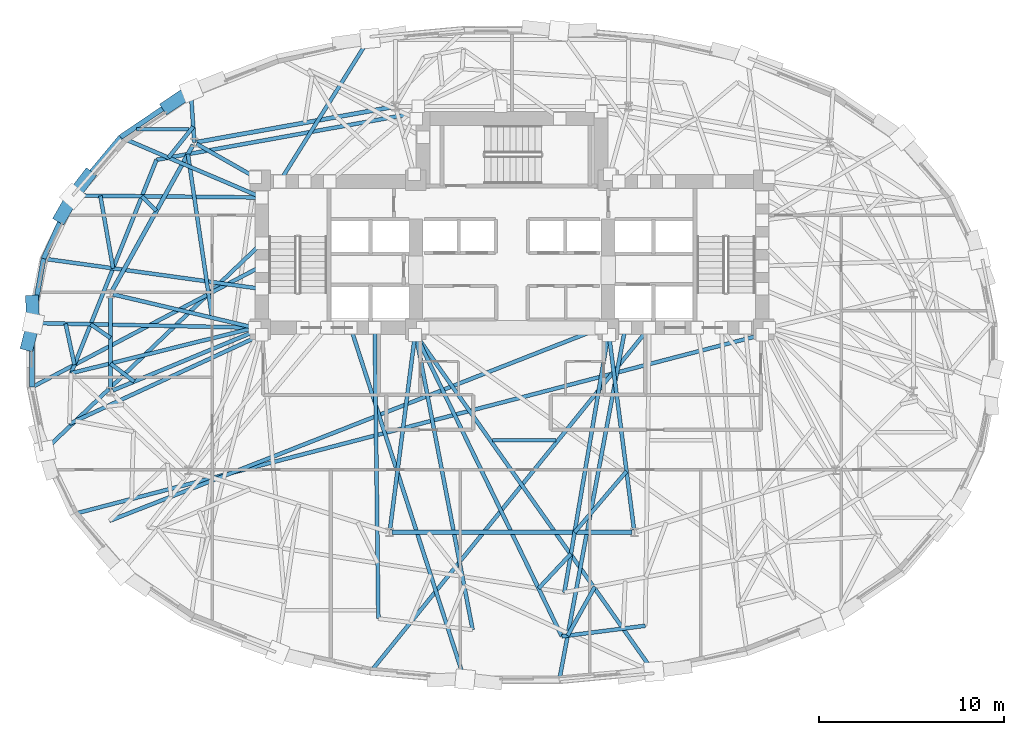
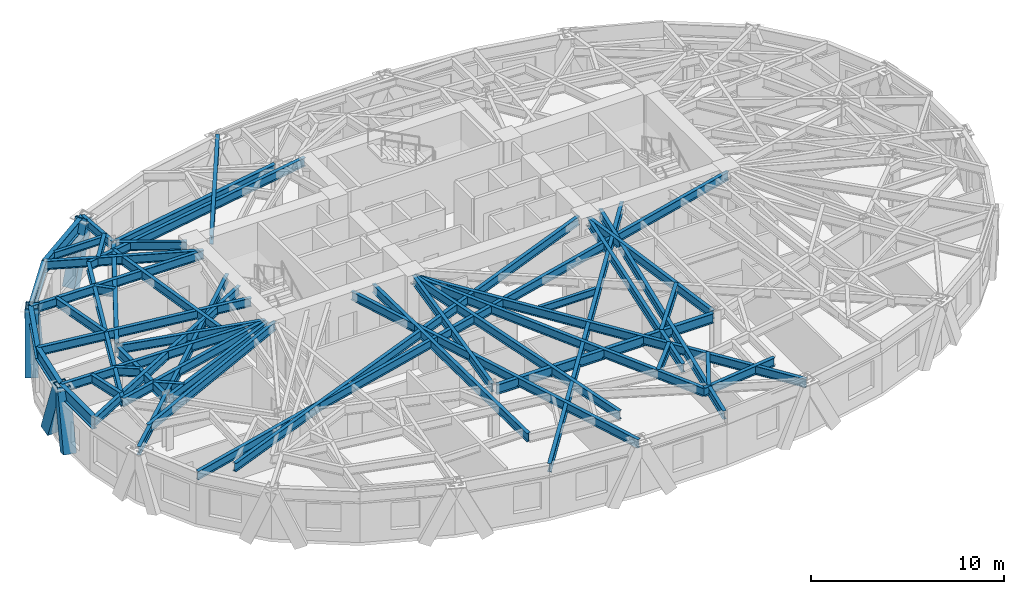
# One storey, part 2 of 14: 49 beams, 5 members.
"""IFC4 building model written with IfcOpenShell, lengths in metres."""

import ifcopenshell
import ifcopenshell.guid

model = None  # the IFC model being written
_history = None  # IfcOwnerHistory: only IFC2X3 demands one
_inside = {}  # id of a spatial element -> (the spatial element, [elements in it])
_under = {}  # id of a project, library or spatial element -> (it, [spatial elements below it])
_declared = {}  # id of a project -> (the project, [libraries it declares])
_typed = {}  # id of a type object -> (the type object, [elements of that type])
_made_of = {}  # id of a material, layer set ... -> (it, [elements and type objects made of it])


def new_model(schema):
    """Start an empty IFC model of exactly this schema.

    Asked for "IFC4X3", IfcOpenShell would pick the latest addendum, in which some entities
    have other attributes; the version numbers below select the first issue.
    IFC2X3 requires an IfcOwnerHistory on every rooted entity: one is made here for all.
    """
    global model, _history
    if schema == "IFC4X3":
        model = ifcopenshell.file(schema_version=(4, 3, 0, 0))
    else:
        model = ifcopenshell.file(schema=schema)
    _inside.clear()
    _under.clear()
    _declared.clear()
    _typed.clear()
    _made_of.clear()
    _history = None
    if model.schema == "IFC2X3":
        org = make("IfcOrganization", Name="unknown")
        user = make(
            "IfcPersonAndOrganization",
            ThePerson=make("IfcPerson", FamilyName="unknown"),
            TheOrganization=org,
        )
        app = make(
            "IfcApplication",
            ApplicationDeveloper=org,
            Version="unknown",
            ApplicationFullName="unknown",
            ApplicationIdentifier="unknown",
        )
        _history = make(
            "IfcOwnerHistory",
            OwningUser=user,
            OwningApplication=app,
            ChangeAction="ADDED",
            CreationDate=0,
        )
    return model


def make(cls, **values):
    """One entity of the class cls with the attributes given. An attribute that is None is left unset."""
    return model.create_entity(
        cls, **{name: value for name, value in values.items() if value is not None}
    )


def rooted(cls, **values):
    """An entity with a GlobalId (a new one), such as an element, a storey or a relation."""
    return make(cls, GlobalId=ifcopenshell.guid.new(), OwnerHistory=_history, **values)


def si_unit(unit_type, name, prefix=None):
    """IfcSIUnit, for example si_unit("LENGTHUNIT", "METRE", prefix="MILLI")."""
    return make("IfcSIUnit", UnitType=unit_type, Prefix=prefix, Name=name)


def assignment(units):
    """IfcUnitAssignment: the units of a project."""
    return None if units is None else make("IfcUnitAssignment", Units=units)


def point(xyz):
    """IfcCartesianPoint."""
    return None if xyz is None else make("IfcCartesianPoint", Coordinates=xyz)


def direction(xyz):
    """IfcDirection."""
    return None if xyz is None else make("IfcDirection", DirectionRatios=xyz)


def frame(location, z_axis=None, x_axis=None):
    """IfcAxis2Placement3D, a coordinate frame: its origin and axes. An axis left out is left unset."""
    return make(
        "IfcAxis2Placement3D",
        Location=point(location),
        Axis=direction(z_axis),
        RefDirection=direction(x_axis),
    )


def frame_2d(location, x_axis=None):
    """IfcAxis2Placement2D, a coordinate frame in the plane: its origin and x axis."""
    return make(
        "IfcAxis2Placement2D", Location=point(location), RefDirection=direction(x_axis)
    )


def origin():
    """The frame at (0, 0, 0) with its axes left unset."""
    return frame((0.0, 0.0, 0.0))


def origin_2d():
    """The frame at (0, 0) in the plane with its x axis left unset."""
    return frame_2d((0.0, 0.0))


def place(relative_to, where):
    """IfcLocalPlacement: puts the frame where relative to a parent placement (None: the world)."""
    return make(
        "IfcLocalPlacement", PlacementRelTo=relative_to, RelativePlacement=where
    )


def context(
    kind, dimensions, precision=None, world=None, true_north=None, identifier=None
):
    """IfcGeometricRepresentationContext, for example the 3D "Model" context."""
    return make(
        "IfcGeometricRepresentationContext",
        ContextIdentifier=identifier,
        ContextType=kind,
        CoordinateSpaceDimension=dimensions,
        Precision=precision,
        WorldCoordinateSystem=world,
        TrueNorth=true_north,
    )


def subcontext(parent, identifier, kind, view, scale=None):
    """IfcGeometricRepresentationSubContext, for example "Body" below "Model"."""
    return make(
        "IfcGeometricRepresentationSubContext",
        ContextIdentifier=identifier,
        ContextType=kind,
        ParentContext=parent,
        TargetScale=scale,
        TargetView=view,
    )


def project(units=None, contexts=None):
    """IfcProject with its units and contexts."""
    return rooted(
        "IfcProject",
        Name="project",
        RepresentationContexts=contexts,
        UnitsInContext=assignment(units),
    )


def spatial(cls, under=None, at=None, **own):
    """A site, building, storey or space (cls), placed at a placement, below another one or the project."""
    s = rooted(cls, ObjectPlacement=at, **own)
    if under is not None:
        _under.setdefault(under.id(), (under, []))[1].append(s)
    return s


def profile(cls, at=None, kind="AREA", **sizes):
    """A parametric profile (cls). Its sizes go by their IFC names, for example OverallWidth=200.0."""
    return make(cls, ProfileType=kind, Position=at, **sizes)


def hollow_rectangle(**sizes):
    """IfcRectangleHollowProfileDef."""
    return profile("IfcRectangleHollowProfileDef", **sizes)


def i_section(**sizes):
    """IfcIShapeProfileDef."""
    return profile("IfcIShapeProfileDef", **sizes)


def extrude(swept, where, along, depth):
    """IfcExtrudedAreaSolid: the profile swept, set in the frame where, extruded along a direction by depth."""
    return make(
        "IfcExtrudedAreaSolid",
        SweptArea=swept,
        Position=where,
        ExtrudedDirection=direction(along),
        Depth=depth,
    )


def shape(context_of_items, identifier, shape_type, items):
    """IfcShapeRepresentation: the items that make up one representation, for example the "Body"."""
    return make(
        "IfcShapeRepresentation",
        ContextOfItems=context_of_items,
        RepresentationIdentifier=identifier,
        RepresentationType=shape_type,
        Items=items,
    )


def material(Name=None, Category=None):
    """IfcMaterial."""
    return make("IfcMaterial", Name=Name, Category=Category)


def material_profile(
    of_material, cross_section, Name=None, Category=None, Priority=None
):
    """IfcMaterialProfile: a cross section and its material."""
    return make(
        "IfcMaterialProfile",
        Name=Name,
        Material=of_material,
        Profile=cross_section,
        Priority=Priority,
        Category=Category,
    )


def profile_set(profiles, Name=None, composite=None):
    """IfcMaterialProfileSet."""
    return make(
        "IfcMaterialProfileSet",
        Name=Name,
        MaterialProfiles=profiles,
        CompositeProfile=composite,
    )


def made_of(thing, what):
    """Note that an element or type object is made of a material, layer set ...; save() writes the relation."""
    if what is not None:
        _made_of.setdefault(what.id(), (what, []))[1].append(thing)
    return thing


def type_object(cls, material=None, **own):
    """A type object (cls), such as IfcWallType, which elements share."""
    return made_of(rooted(cls, **own), material)


def element(
    cls,
    number,
    at=None,
    inside=None,
    cuts=None,
    type_object=None,
    material=None,
    context=None,
    identifier="Body",
    shape_type=None,
    held_by="IfcProductDefinitionShape",
    body=None,
    shapes=None,
    **own,
):
    """One element of the class cls, such as IfcWall. Its Tag is "e" and its number.

    at: its placement. inside: the storey or other place that contains it. cuts: it is an
    opening in that element (IfcRelVoidsElement). A single representation is given by context,
    identifier, shape_type and body (its items); several are given by shapes. held_by: the class
    of the entity that holds the representations. save() writes the other relations.
    """
    e = rooted(cls, Tag="e%d" % number, ObjectPlacement=at, **own)
    if body is not None:
        shapes = [shape(context, identifier, shape_type, body)]
    if shapes is not None:
        e.Representation = make(held_by, Representations=shapes)
    if inside is not None:
        _inside.setdefault(inside.id(), (inside, []))[1].append(e)
    if cuts is not None:
        rooted(
            "IfcRelVoidsElement", RelatingBuildingElement=cuts, RelatedOpeningElement=e
        )
    if type_object is not None:
        _typed.setdefault(type_object.id(), (type_object, []))[1].append(e)
    return made_of(e, material)


def aggregate(whole, parts):
    """IfcRelAggregates: a whole, such as a stair, and the parts it consists of."""
    return rooted("IfcRelAggregates", RelatingObject=whole, RelatedObjects=parts)


def save(model, path):
    """Write the relations noted so far, then the file.

    IfcRelAggregates (storeys below a building ...), IfcRelContainedInSpatialStructure (elements
    in a storey), IfcRelDefinesByType, IfcRelAssociatesMaterial and IfcRelDeclares: one each for
    every whole, place, type object, material and project.
    """
    for whole, parts in _under.values():
        aggregate(whole, parts)
    for where, things in _inside.values():
        rooted(
            "IfcRelContainedInSpatialStructure",
            RelatedElements=things,
            RelatingStructure=where,
        )
    for kind, things in _typed.values():
        rooted("IfcRelDefinesByType", RelatedObjects=things, RelatingType=kind)
    for what, things in _made_of.values():
        rooted("IfcRelAssociatesMaterial", RelatedObjects=things, RelatingMaterial=what)
    for by, libraries in _declared.values():
        rooted("IfcRelDeclares", RelatingContext=by, RelatedDefinitions=libraries)
    model.write(path)


model = new_model("IFC4")

# Units and contexts
model_context = context("Model", 3, precision=1e-05, world=origin(), true_north=direction((0.0, 1.0)))
body_context = subcontext(model_context, "Body", "Model", "MODEL_VIEW")
ifc_project = project(units=[si_unit("LENGTHUNIT", "METRE"), si_unit("AREAUNIT", "SQUARE_METRE"), si_unit("VOLUMEUNIT", "CUBIC_METRE"), si_unit("PLANEANGLEUNIT", "RADIAN"), si_unit("MASSUNIT", "GRAM", prefix="KILO")], contexts=[model_context])

# Site, building, storey
site_placement = place(None, origin())
site = spatial("IfcSite", under=ifc_project, at=site_placement, CompositionType="ELEMENT")
building_placement = place(site_placement, origin())
building = spatial("IfcBuilding", under=site, at=building_placement, Name="Keldmark Tower", CompositionType="ELEMENT")
storey_placement = place(building_placement, frame((0.0, 0.0, 121.10009765625)))
storey = spatial("IfcBuildingStorey", under=building, at=storey_placement, Name="L32", CompositionType="ELEMENT", Elevation=121.10009765625)

# Beams
ifc_material_1 = material(Name="Steel ASTM A992 Grade 50", Category="steel")
ifc_material_profile_1 = material_profile(ifc_material_1, i_section(OverallWidth=0.19091796875, OverallDepth=0.45703125, WebThickness=0.009033203125, FlangeThickness=0.014404296875, at=origin_2d()), Name="W18X50")
ifc_profile_set_1 = profile_set([ifc_material_profile_1], Name="Steel ASTM A992 Grade 50")
beam_type_1 = type_object("IfcBeamType", Name="Composite Floor Joist W18X50", PredefinedType="JOIST", material=ifc_profile_set_1)
beam_1_placement = place(storey_placement, frame((-1.061767578125, -4.60009765625, 3.081298828125), z_axis=(1.0, 0.0, 0.0), x_axis=(0.0, 1.0, 0.0)))
element("IfcBeam", 1, at=beam_1_placement, inside=storey, type_object=beam_type_1, Name="L32 Composite Floor Joist J03", PredefinedType="JOIST", context=body_context, shape_type="SweptSolid", body=[
    extrude(i_section(OverallWidth=0.19091796875, OverallDepth=0.45703125, WebThickness=0.009033203125, FlangeThickness=0.014404296875, at=origin_2d()), origin(), (0.0, 0.0, 1.0), 3.433837890625),
])
beam_2_placement = place(storey_placement, frame((-20.29248046875, 12.199951171875, 3.081298828125), z_axis=(1.0, 0.0, 0.0), x_axis=(0.0, 1.0, 0.0)))
element("IfcBeam", 2, at=beam_2_placement, inside=storey, type_object=beam_type_1, Name="L32 Composite Floor Joist J06", PredefinedType="JOIST", context=body_context, shape_type="SweptSolid", body=[
    extrude(i_section(OverallWidth=0.19091796875, OverallDepth=0.45703125, WebThickness=0.009033203125, FlangeThickness=0.014404296875, at=origin_2d()), origin(), (0.0, 0.0, 1.0), 2.8330078125),
])

# Members
ifc_material_2 = material(Name="Steel ASTM A572 Grade 50", Category="steel")
ifc_material_profile_2 = material_profile(ifc_material_2, hollow_rectangle(XDim=0.699951171875, YDim=0.699951171875, WallThickness=0.044921875, at=origin_2d()), Name="BOX700X700X45")
ifc_profile_set_2 = profile_set([ifc_material_profile_2], Name="Steel ASTM A572 Grade 50")
member_type = type_object("IfcMemberType", Name="Diagrid Zone 2 Brace BOX700X700X45", PredefinedType="BRACE", material=ifc_profile_set_2)
member_1_placement = place(storey_placement, frame((-18.591796875, 13.441650390625, -0.27001953125), z_axis=(0.335635716831, 0.22567162118, 0.914560541999), x_axis=(-0.557972961749, 0.829859128984, 0.0)))
element("IfcMember", 3, at=member_1_placement, inside=storey, type_object=member_type, Name="L32 Perimeter Diagrid Brace 06B", PredefinedType="BRACE", context=body_context, shape_type="SweptSolid", body=[
    extrude(hollow_rectangle(XDim=0.699951171875, YDim=0.699951171875, WallThickness=0.044921875, at=origin_2d()), origin(), (0.0, 0.0, 1.0), 3.783203125),
])
member_2_placement = place(storey_placement, frame((-22.9169921875, 9.65185546875, -0.27001953125), z_axis=(-0.219867958997, -0.288773946146, 0.931808826227), x_axis=(0.795631284897, -0.60578119688, 0.0)))
element("IfcMember", 4, at=member_2_placement, inside=storey, type_object=member_type, Name="L32 Perimeter Diagrid Brace 07A", PredefinedType="BRACE", context=body_context, shape_type="SweptSolid", body=[
    extrude(hollow_rectangle(XDim=0.699951171875, YDim=0.699951171875, WallThickness=0.044921875, at=origin_2d()), origin(), (0.0, 0.0, 1.0), 3.713134765625),
])
member_3_placement = place(storey_placement, frame((-24.362060546875, 7.486572265625, -0.27001953125), z_axis=(0.172250116785, 0.299136400429, 0.938534661697), x_axis=(-0.866597316493, 0.499008107195, 0.0)))
element("IfcMember", 5, at=member_3_placement, inside=storey, type_object=member_type, Name="L32 Perimeter Diagrid Brace 07B", PredefinedType="BRACE", context=body_context, shape_type="SweptSolid", body=[
    extrude(hollow_rectangle(XDim=0.699951171875, YDim=0.699951171875, WallThickness=0.044921875, at=origin_2d()), origin(), (0.0, 0.0, 1.0), 3.6865234375),
])
member_4_placement = place(storey_placement, frame((-25.9296875, 2.899169921875, -0.27001953125), z_axis=(0.016952892243, -0.324040519048, 0.945891294737), x_axis=(0.998634258336, 0.052245746986, 0.0)))
element("IfcMember", 6, at=member_4_placement, inside=storey, type_object=member_type, Name="L32 Perimeter Diagrid Brace 08A", PredefinedType="BRACE", context=body_context, shape_type="SweptSolid", body=[
    extrude(hollow_rectangle(XDim=0.699951171875, YDim=0.699951171875, WallThickness=0.044921875, at=origin_2d()), origin(), (0.0, 0.0, 1.0), 3.657958984375),
])
member_5_placement = place(storey_placement, frame((-26.163818359375, 0.577880859375, -0.27001953125), z_axis=(0.081570259972, 0.313731769122, 0.946001411062), x_axis=(-0.967822506788, 0.251633851765, 0.0)))
element("IfcMember", 7, at=member_5_placement, inside=storey, type_object=member_type, Name="L32 Perimeter Diagrid Brace 08B", PredefinedType="BRACE", context=body_context, shape_type="SweptSolid", body=[
    extrude(hollow_rectangle(XDim=0.699951171875, YDim=0.699951171875, WallThickness=0.044921875, at=origin_2d()), origin(), (0.0, 0.0, 1.0), 3.657470703125),
])

# Beams
ifc_material_3 = material(Name="Steel ASTM A992 Grade 50", Category="steel")
ifc_material_profile_3 = material_profile(ifc_material_3, i_section(OverallWidth=0.22900390625, OverallDepth=0.612060546875, WebThickness=0.011962890625, FlangeThickness=0.01953125, at=origin_2d()), Name="W24X84")
ifc_profile_set_3 = profile_set([ifc_material_profile_3], Name="Steel ASTM A992 Grade 50")
beam_type_2 = type_object("IfcBeamType", Name="Primary Floor Girder W24X84", PredefinedType="BEAM", material=ifc_profile_set_3)
beam_3_placement = place(storey_placement, frame((-6.4365234375, 13.40771484375, 3.00390625), z_axis=(-0.984218266992, -0.176958760505, 0.0), x_axis=(0.176958760505, -0.984218266992, 0.0)))
element("IfcBeam", 8, at=beam_3_placement, inside=storey, type_object=beam_type_2, Name="L32 Floor Ring Girder FG-R04", PredefinedType="BEAM", context=body_context, shape_type="SweptSolid", body=[
    extrude(i_section(OverallWidth=0.22900390625, OverallDepth=0.612060546875, WebThickness=0.011962890625, FlangeThickness=0.01953125, at=origin_2d()), origin(), (0.0, 0.0, 1.0), 10.7626953125),
])
beam_4_placement = place(storey_placement, frame((-17.235107421875, 11.35595703125, 3.00390625), z_axis=(-0.484951836703, -0.874540860154, 0.0), x_axis=(0.874540860154, -0.484951836703, 0.0)))
element("IfcBeam", 9, at=beam_4_placement, inside=storey, type_object=beam_type_2, Name="L32 Floor Ring Girder FG-R05", PredefinedType="BEAM", context=body_context, shape_type="SweptSolid", body=[
    extrude(i_section(OverallWidth=0.22900390625, OverallDepth=0.612060546875, WebThickness=0.011962890625, FlangeThickness=0.01953125, at=origin_2d()), origin(), (0.0, 0.0, 1.0), 9.060302734375),
])
beam_5_placement = place(storey_placement, frame((-21.697021484375, 3.169921875, 3.00390625), z_axis=(0.0, -1.0, 0.0), x_axis=(1.0, 0.0, 0.0)))
element("IfcBeam", 10, at=beam_5_placement, inside=storey, type_object=beam_type_2, Name="L32 Floor Ring Girder FG-R06", PredefinedType="BEAM", context=body_context, shape_type="SweptSolid", body=[
    extrude(i_section(OverallWidth=0.22900390625, OverallDepth=0.612060546875, WebThickness=0.011962890625, FlangeThickness=0.01953125, at=origin_2d()), origin(), (0.0, 0.0, 1.0), 4.995849609375),
])
beam_6_placement = place(storey_placement, frame((-6.472900390625, -9.579345703125, 3.00390625), z_axis=(1.0, 0.0, 0.0), x_axis=(0.0, 1.0, 0.0)))
element("IfcBeam", 11, at=beam_6_placement, inside=storey, type_object=beam_type_2, Name="L32 Floor Ring Girder FG-R09", PredefinedType="BEAM", context=body_context, shape_type="SweptSolid", body=[
    extrude(i_section(OverallWidth=0.22900390625, OverallDepth=0.612060546875, WebThickness=0.011962890625, FlangeThickness=0.01953125, at=origin_2d()), origin(), (0.0, 0.0, 1.0), 12.94580078125),
])
ifc_material_4 = material(Name="Steel ASTM A992 Grade 50", Category="steel")
ifc_material_profile_4 = material_profile(ifc_material_4, i_section(OverallWidth=0.2099609375, OverallDepth=0.537109375, WebThickness=0.010986328125, FlangeThickness=0.017333984375, at=origin_2d()), Name="W21X68")
ifc_profile_set_4 = profile_set([ifc_material_profile_4], Name="Steel ASTM A992 Grade 50")
beam_type_3 = type_object("IfcBeamType", Name="Radial Tie Girder W21X68", PredefinedType="BEAM", material=ifc_profile_set_4)
beam_7_placement = place(storey_placement, frame((-17.04541015625, 11.4091796875, 3.04150390625), z_axis=(0.86928447329, -0.494312152892, 0.0), x_axis=(0.494312152892, 0.86928447329, 0.0)))
element("IfcBeam", 12, at=beam_7_placement, inside=storey, type_object=beam_type_3, Name="L32 Floor Radial Girder FG-C05", PredefinedType="BEAM", context=body_context, shape_type="SweptSolid", body=[
    extrude(i_section(OverallWidth=0.2099609375, OverallDepth=0.537109375, WebThickness=0.010986328125, FlangeThickness=0.017333984375, at=origin_2d()), origin(), (0.0, 0.0, 1.0), 3.6435546875),
])
beam_8_placement = place(storey_placement, frame((-21.560546875, 3.27783203125, 3.04150390625), z_axis=(0.973283778272, -0.229605502879, 0.0), x_axis=(0.229605502879, 0.973283778272, 0.0)))
element("IfcBeam", 13, at=beam_8_placement, inside=storey, type_object=beam_type_3, Name="L32 Floor Radial Girder FG-C06", PredefinedType="BEAM", context=body_context, shape_type="SweptSolid", body=[
    extrude(i_section(OverallWidth=0.2099609375, OverallDepth=0.537109375, WebThickness=0.010986328125, FlangeThickness=0.017333984375, at=origin_2d()), origin(), (0.0, 0.0, 1.0), 7.85888671875),
])
beam_9_placement = place(storey_placement, frame((-21.567626953125, -1.912109375, 3.04150390625), z_axis=(0.923397393633, 0.383845350932, 0.0), x_axis=(-0.383845350932, 0.923397393633, 0.0)))
element("IfcBeam", 14, at=beam_9_placement, inside=storey, type_object=beam_type_3, Name="L32 Floor Radial Girder FG-C07", PredefinedType="BEAM", context=body_context, shape_type="SweptSolid", body=[
    extrude(i_section(OverallWidth=0.2099609375, OverallDepth=0.537109375, WebThickness=0.010986328125, FlangeThickness=0.017333984375, at=origin_2d()), origin(), (0.0, 0.0, 1.0), 8.30859375),
])
for number, where, z_axis, x_axis, name in (
    (15, (-6.594970703125, -9.4404296875, 3.04150390625), (0.127642040045, 0.991820301069, 0.0), (-0.991820301069, 0.127642040045, 0.0), "L32 Floor Radial Girder FG-C09"),
    (16, (6.594970703125, -9.4404296875, 3.04150390625), (-0.127642040045, 0.991820301069, 0.0), (-0.991820301069, -0.127642040045, 0.0), "L32 Floor Radial Girder FG-C10"),
):
    element("IfcBeam", number, at=place(storey_placement, frame(where, z_axis=z_axis, x_axis=x_axis)), inside=storey, type_object=beam_type_3, Name=name, PredefinedType="BEAM", context=body_context, shape_type="SweptSolid", body=[
        extrude(i_section(OverallWidth=0.2099609375, OverallDepth=0.537109375, WebThickness=0.010986328125, FlangeThickness=0.017333984375, at=origin_2d()), origin(), (0.0, 0.0, 1.0), 10.609619140625),
    ])
beam_10_placement = place(storey_placement, frame((-16.206298828125, 2.014892578125, 3.04150390625), z_axis=(-0.146189237766, 0.989256643527, 0.0), x_axis=(-0.989256643527, -0.146189237766, 0.0)))
element("IfcBeam", 17, at=beam_10_placement, inside=storey, type_object=beam_type_3, Name="L32 Framing Pin Header PH-005", PredefinedType="BEAM", context=body_context, shape_type="SweptSolid", body=[
    extrude(i_section(OverallWidth=0.2099609375, OverallDepth=0.537109375, WebThickness=0.010986328125, FlangeThickness=0.017333984375, at=origin_2d()), origin(), (0.0, 0.0, 1.0), 8.936279296875),
])
beam_11_placement = place(storey_placement, frame((-4.800048828125, 13.14990234375, 3.04150390625), z_axis=(-0.984095025562, -0.177642845799, 0.0), x_axis=(0.177642845799, -0.984095025562, 0.0)))
element("IfcBeam", 18, at=beam_11_placement, inside=storey, type_object=beam_type_3, Name="L32 Sub-Ring Step Girder STP1-M06", PredefinedType="BEAM", context=body_context, shape_type="SweptSolid", body=[
    extrude(i_section(OverallWidth=0.2099609375, OverallDepth=0.537109375, WebThickness=0.010986328125, FlangeThickness=0.017333984375, at=origin_2d()), origin(), (0.0, 0.0, 1.0), 14.646240234375),
])
beam_12_placement = place(storey_placement, frame((-20.416748046875, -1.433837890625, 3.04150390625), z_axis=(-0.794878137601, 0.606769104656, 0.0), x_axis=(-0.606769104656, -0.794878137601, 0.0)))
element("IfcBeam", 19, at=beam_12_placement, inside=storey, type_object=beam_type_3, Name="L32 Framing Pin Header PH-006", PredefinedType="BEAM", context=body_context, shape_type="SweptSolid", body=[
    extrude(i_section(OverallWidth=0.2099609375, OverallDepth=0.537109375, WebThickness=0.010986328125, FlangeThickness=0.017333984375, at=origin_2d()), origin(), (0.0, 0.0, 1.0), 1.610595703125),
])
beam_13_placement = place(storey_placement, frame((-13.89990234375, 1.47509765625, 3.04150390625), z_axis=(-0.970654357168, -0.240478936523, 0.0), x_axis=(0.240478936523, -0.970654357168, 0.0)))
element("IfcBeam", 20, at=beam_13_placement, inside=storey, type_object=beam_type_3, Name="L32 Sub-Ring Step Girder STP1-M07", PredefinedType="BEAM", context=body_context, shape_type="SweptSolid", body=[
    extrude(i_section(OverallWidth=0.2099609375, OverallDepth=0.537109375, WebThickness=0.010986328125, FlangeThickness=0.017333984375, at=origin_2d()), origin(), (0.0, 0.0, 1.0), 10.225341796875),
])
beam_14_placement = place(storey_placement, frame((-19.21337890625, 10.548095703125, 3.04150390625), z_axis=(-0.371322892211, -0.928503801672, 0.0), x_axis=(0.928503801672, -0.371322892211, 0.0)))
element("IfcBeam", 21, at=beam_14_placement, inside=storey, type_object=beam_type_3, Name="L32 Perimeter Collector Ring Beam CRG1-M06", PredefinedType="BEAM", context=body_context, shape_type="SweptSolid", body=[
    extrude(i_section(OverallWidth=0.2099609375, OverallDepth=0.537109375, WebThickness=0.010986328125, FlangeThickness=0.017333984375, at=origin_2d()), origin(), (0.0, 0.0, 1.0), 12.419921875),
])
beam_15_placement = place(storey_placement, frame((6.188720703125, -6.283447265625, 3.04150390625), z_axis=(-0.648172221186, -0.761493776522, 0.0), x_axis=(0.761493776522, -0.648172221186, 0.0)))
element("IfcBeam", 22, at=beam_15_placement, inside=storey, type_object=beam_type_3, Name="L32 Framing Pin Header PH-010", PredefinedType="BEAM", context=body_context, shape_type="SweptSolid", body=[
    extrude(i_section(OverallWidth=0.2099609375, OverallDepth=0.537109375, WebThickness=0.010986328125, FlangeThickness=0.017333984375, at=origin_2d()), origin(), (0.0, 0.0, 1.0), 4.328125),
])
beam_16_placement = place(storey_placement, frame((5.199951171875, 1.10009765625, 3.04150390625), z_axis=(-0.167690376042, -0.985839712013, 0.0), x_axis=(0.985839712013, -0.167690376042, 0.0)))
element("IfcBeam", 23, at=beam_16_placement, inside=storey, type_object=beam_type_3, Name="L32 Sub-Ring Step Girder STP2-M10", PredefinedType="BEAM", context=body_context, shape_type="SweptSolid", body=[
    extrude(i_section(OverallWidth=0.2099609375, OverallDepth=0.537109375, WebThickness=0.010986328125, FlangeThickness=0.017333984375, at=origin_2d()), origin(), (0.0, 0.0, 1.0), 14.129638671875),
])
beam_17_placement = place(storey_placement, frame((-12.54638671875, 9.375, 3.04150390625), z_axis=(0.530087356158, 0.847943037498, 0.0), x_axis=(-0.847943037498, 0.530087356158, 0.0)))
element("IfcBeam", 24, at=beam_17_placement, inside=storey, type_object=beam_type_3, Name="L32 Perimeter Radial Tie Girder RT-10", PredefinedType="BEAM", context=body_context, shape_type="SweptSolid", body=[
    extrude(i_section(OverallWidth=0.2099609375, OverallDepth=0.537109375, WebThickness=0.010986328125, FlangeThickness=0.017333984375, at=origin_2d()), origin(), (0.0, 0.0, 1.0), 9.183349609375),
])
beam_18_placement = place(storey_placement, frame((-17.1669921875, 11.478271484375, 3.04150390625), z_axis=(-0.067286839029, 0.997733672527, 0.0), x_axis=(-0.997733672527, -0.067286839029, 0.0)))
element("IfcBeam", 25, at=beam_18_placement, inside=storey, type_object=beam_type_3, Name="L32 Perimeter Column Bracket RT-12", PredefinedType="BEAM", context=body_context, shape_type="SweptSolid", body=[
    extrude(i_section(OverallWidth=0.2099609375, OverallDepth=0.537109375, WebThickness=0.010986328125, FlangeThickness=0.017333984375, at=origin_2d()), origin(), (0.0, 0.0, 1.0), 2.8701171875),
])
beam_19_placement = place(storey_placement, frame((-17.22509765625, 12.33740234375, 3.04150390625), z_axis=(-0.625236848522, -0.780435060239, 0.0), x_axis=(0.780435060239, -0.625236848522, 0.0)))
element("IfcBeam", 26, at=beam_19_placement, inside=storey, type_object=beam_type_3, Name="L32 Framing Pin Header PH-020", PredefinedType="BEAM", context=body_context, shape_type="SweptSolid", body=[
    extrude(i_section(OverallWidth=0.2099609375, OverallDepth=0.537109375, WebThickness=0.010986328125, FlangeThickness=0.017333984375, at=origin_2d()), origin(), (0.0, 0.0, 1.0), 2.142578125),
])
beam_20_placement = place(storey_placement, frame((-13.52490234375, 8.514404296875, 3.04150390625), z_axis=(-0.919742322767, 0.392522686875, 0.0), x_axis=(-0.392522686875, -0.919742322767, 0.0)))
element("IfcBeam", 27, at=beam_20_placement, inside=storey, type_object=beam_type_3, Name="L32 Perimeter Radial Tie Girder RT-13", PredefinedType="BEAM", context=body_context, shape_type="SweptSolid", body=[
    extrude(i_section(OverallWidth=0.2099609375, OverallDepth=0.537109375, WebThickness=0.010986328125, FlangeThickness=0.017333984375, at=origin_2d()), origin(), (0.0, 0.0, 1.0), 8.294189453125),
])
beam_21_placement = place(storey_placement, frame((-19.21240234375, 7.790283203125, 3.04150390625), z_axis=(-0.706559358051, 0.707653780849, 0.0), x_axis=(-0.707653780849, -0.706559358051, 0.0)))
element("IfcBeam", 28, at=beam_21_placement, inside=storey, type_object=beam_type_3, Name="L32 Framing Pin Header PH-021", PredefinedType="BEAM", context=body_context, shape_type="SweptSolid", body=[
    extrude(i_section(OverallWidth=0.2099609375, OverallDepth=0.537109375, WebThickness=0.010986328125, FlangeThickness=0.017333984375, at=origin_2d()), origin(), (0.0, 0.0, 1.0), 1.115478515625),
])
beam_22_placement = place(storey_placement, frame((-13.52490234375, 8.514404296875, 3.04150390625), z_axis=(-0.999949296679, 0.010069958873, 0.0), x_axis=(-0.010069958873, -0.999949296679, 0.0)))
element("IfcBeam", 29, at=beam_22_placement, inside=storey, type_object=beam_type_3, Name="L32 Perimeter Radial Tie Girder RT-14", PredefinedType="BEAM", context=body_context, shape_type="SweptSolid", body=[
    extrude(i_section(OverallWidth=0.2099609375, OverallDepth=0.537109375, WebThickness=0.010986328125, FlangeThickness=0.017333984375, at=origin_2d()), origin(), (0.0, 0.0, 1.0), 10.25537109375),
])
beam_23_placement = place(storey_placement, frame((-22.24169921875, 8.602294921875, 3.04150390625), z_axis=(0.171921577498, -0.985110639061, 0.0), x_axis=(0.985110639061, 0.171921577498, 0.0)))
element("IfcBeam", 30, at=beam_23_placement, inside=storey, type_object=beam_type_3, Name="L32 Framing Pin Header PH-022", PredefinedType="BEAM", context=body_context, shape_type="SweptSolid", body=[
    extrude(i_section(OverallWidth=0.2099609375, OverallDepth=0.537109375, WebThickness=0.010986328125, FlangeThickness=0.017333984375, at=origin_2d()), origin(), (0.0, 0.0, 1.0), 3.97607421875),
])
beam_24_placement = place(storey_placement, frame((-13.52490234375, 3.5712890625, 3.04150390625), z_axis=(-0.990520128858, 0.13736766114, 0.0), x_axis=(-0.13736766114, -0.990520128858, 0.0)))
element("IfcBeam", 31, at=beam_24_placement, inside=storey, type_object=beam_type_3, Name="L32 Perimeter Radial Tie Girder RT-15", PredefinedType="BEAM", context=body_context, shape_type="SweptSolid", body=[
    extrude(i_section(OverallWidth=0.2099609375, OverallDepth=0.537109375, WebThickness=0.010986328125, FlangeThickness=0.017333984375, at=origin_2d()), origin(), (0.0, 0.0, 1.0), 11.900634765625),
])
beam_25_placement = place(storey_placement, frame((-21.697021484375, 0.921875, 3.04150390625), z_axis=(-0.821543278798, 0.570146157631, 0.0), x_axis=(-0.570146157631, -0.821543278798, 0.0)))
element("IfcBeam", 32, at=beam_25_placement, inside=storey, type_object=beam_type_3, Name="L32 Framing Pin Header PH-023", PredefinedType="BEAM", context=body_context, shape_type="SweptSolid", body=[
    extrude(i_section(OverallWidth=0.2099609375, OverallDepth=0.537109375, WebThickness=0.010986328125, FlangeThickness=0.017333984375, at=origin_2d()), origin(), (0.0, 0.0, 1.0), 1.30126953125),
])
beam_26_placement = place(storey_placement, frame((-13.89990234375, 1.47509765625, 3.04150390625), z_axis=(-0.999773288983, 0.021292501881, 0.0), x_axis=(-0.021292501881, -0.999773288983, 0.0)))
element("IfcBeam", 33, at=beam_26_placement, inside=storey, type_object=beam_type_3, Name="L32 Perimeter Radial Tie Girder RT-16", PredefinedType="BEAM", context=body_context, shape_type="SweptSolid", body=[
    extrude(i_section(OverallWidth=0.2099609375, OverallDepth=0.537109375, WebThickness=0.010986328125, FlangeThickness=0.017333984375, at=origin_2d()), origin(), (0.0, 0.0, 1.0), 12.02783203125),
])
beam_27_placement = place(storey_placement, frame((-24.121337890625, 1.69287109375, 3.04150390625), z_axis=(0.210769403215, -0.977535809405, 0.0), x_axis=(0.977535809405, 0.210769403215, 0.0)))
element("IfcBeam", 34, at=beam_27_placement, inside=storey, type_object=beam_type_3, Name="L32 Framing Pin Header PH-024", PredefinedType="BEAM", context=body_context, shape_type="SweptSolid", body=[
    extrude(i_section(OverallWidth=0.2099609375, OverallDepth=0.537109375, WebThickness=0.010986328125, FlangeThickness=0.017333984375, at=origin_2d()), origin(), (0.0, 0.0, 1.0), 2.271484375),
])
beam_28_placement = place(storey_placement, frame((-13.52490234375, 4.80712890625, 3.04150390625), z_axis=(-0.884567010217, -0.466413126354, 0.0), x_axis=(0.466413126354, -0.884567010217, 0.0)))
element("IfcBeam", 35, at=beam_28_placement, inside=storey, type_object=beam_type_3, Name="L32 Perimeter Radial Tie Girder RT-17", PredefinedType="BEAM", context=body_context, shape_type="SweptSolid", body=[
    extrude(i_section(OverallWidth=0.2099609375, OverallDepth=0.537109375, WebThickness=0.010986328125, FlangeThickness=0.017333984375, at=origin_2d()), origin(), (0.0, 0.0, 1.0), 14.018310546875),
])
beam_29_placement = place(storey_placement, frame((-13.52490234375, 1.10009765625, 3.04150390625), z_axis=(-0.907416154483, -0.420233176443, 0.0), x_axis=(0.420233176443, -0.907416154483, 0.0)))
element("IfcBeam", 36, at=beam_29_placement, inside=storey, type_object=beam_type_3, Name="L32 Intermediate Radial Step Girder RT-18M", PredefinedType="BEAM", context=body_context, shape_type="SweptSolid", body=[
    extrude(i_section(OverallWidth=0.2099609375, OverallDepth=0.537109375, WebThickness=0.010986328125, FlangeThickness=0.017333984375, at=origin_2d()), origin(), (0.0, 0.0, 1.0), 11.44677734375),
])
beam_30_placement = place(storey_placement, frame((-13.52490234375, 6.04296875, 3.04150390625), z_axis=(-0.723447722591, -0.690379165878, 0.0), x_axis=(0.690379165878, -0.723447722591, 0.0)))
element("IfcBeam", 37, at=beam_30_placement, inside=storey, type_object=beam_type_3, Name="L32 Perimeter Radial Tie Girder RT-18", PredefinedType="BEAM", context=body_context, shape_type="SweptSolid", body=[
    extrude(i_section(OverallWidth=0.2099609375, OverallDepth=0.537109375, WebThickness=0.010986328125, FlangeThickness=0.017333984375, at=origin_2d()), origin(), (0.0, 0.0, 1.0), 16.2939453125),
])
beam_31_placement = place(storey_placement, frame((4.824951171875, 1.47509765625, 3.04150390625), z_axis=(-0.930813228967, -0.365495188451, 0.0), x_axis=(0.365495188451, -0.930813228967, 0.0)))
element("IfcBeam", 38, at=beam_31_placement, inside=storey, type_object=beam_type_3, Name="L32 Intermediate Radial Step Girder RT-19M", PredefinedType="BEAM", context=body_context, shape_type="SweptSolid", body=[
    extrude(i_section(OverallWidth=0.2099609375, OverallDepth=0.537109375, WebThickness=0.010986328125, FlangeThickness=0.017333984375, at=origin_2d()), origin(), (0.0, 0.0, 1.0), 28.5458984375),
])
beam_32_placement = place(storey_placement, frame((13.52490234375, 1.10009765625, 3.04150390625), z_axis=(-0.967705182759, -0.252084666849, 0.0), x_axis=(0.252084666849, -0.967705182759, 0.0)))
element("IfcBeam", 39, at=beam_32_placement, inside=storey, type_object=beam_type_3, Name="L32 Perimeter Radial Tie Girder RT-19", PredefinedType="BEAM", context=body_context, shape_type="SweptSolid", body=[
    extrude(i_section(OverallWidth=0.2099609375, OverallDepth=0.537109375, WebThickness=0.010986328125, FlangeThickness=0.017333984375, at=origin_2d()), origin(), (0.0, 0.0, 1.0), 38.549560546875),
])
beam_33_placement = place(storey_placement, frame((-7.41796875, 1.47509765625, 3.04150390625), z_axis=(0.012501740897, -0.999921850184, 0.0), x_axis=(0.999921850184, 0.012501740897, 0.0)))
element("IfcBeam", 40, at=beam_33_placement, inside=storey, type_object=beam_type_3, Name="L32 Intermediate Radial Step Girder RT-23M", PredefinedType="BEAM", context=body_context, shape_type="SweptSolid", body=[
    extrude(i_section(OverallWidth=0.2099609375, OverallDepth=0.537109375, WebThickness=0.010986328125, FlangeThickness=0.017333984375, at=origin_2d()), origin(), (0.0, 0.0, 1.0), 15.720458984375),
])
beam_34_placement = place(storey_placement, frame((-5.199951171875, 1.10009765625, 3.04150390625), z_axis=(0.189246001091, -0.981929707806, 0.0), x_axis=(0.981929707806, 0.189246001091, 0.0)))
element("IfcBeam", 41, at=beam_34_placement, inside=storey, type_object=beam_type_3, Name="L32 Intermediate Radial Step Girder RT-24M", PredefinedType="BEAM", context=body_context, shape_type="SweptSolid", body=[
    extrude(i_section(OverallWidth=0.2099609375, OverallDepth=0.537109375, WebThickness=0.010986328125, FlangeThickness=0.017333984375, at=origin_2d()), origin(), (0.0, 0.0, 1.0), 16.241943359375),
])
beam_35_placement = place(storey_placement, frame((-8.71435546875, 1.47509765625, 3.04150390625), z_axis=(0.307681341382, -0.951489459829, 0.0), x_axis=(0.951489459829, 0.307681341382, 0.0)))
element("IfcBeam", 42, at=beam_35_placement, inside=storey, type_object=beam_type_3, Name="L32 Perimeter Radial Tie Girder RT-24", PredefinedType="BEAM", context=body_context, shape_type="SweptSolid", body=[
    extrude(i_section(OverallWidth=0.2099609375, OverallDepth=0.537109375, WebThickness=0.010986328125, FlangeThickness=0.017333984375, at=origin_2d()), origin(), (0.0, 0.0, 1.0), 20.023681640625),
])
beam_36_placement = place(storey_placement, frame((3.185791015625, -10.739990234375, 3.04150390625), z_axis=(-0.682824155435, -0.730582762426, 0.0), x_axis=(0.730582762426, -0.682824155435, 0.0)))
element("IfcBeam", 43, at=beam_36_placement, inside=storey, type_object=beam_type_3, Name="L32 Framing Pin Header PH-035", PredefinedType="BEAM", context=body_context, shape_type="SweptSolid", body=[
    extrude(i_section(OverallWidth=0.2099609375, OverallDepth=0.537109375, WebThickness=0.010986328125, FlangeThickness=0.017333984375, at=origin_2d()), origin(), (0.0, 0.0, 1.0), 2.56103515625),
])
beam_37_placement = place(storey_placement, frame((-5.199951171875, 1.10009765625, 3.04150390625), z_axis=(0.435703609713, -0.900090197971, 0.0), x_axis=(0.900090197971, 0.435703609713, 0.0)))
element("IfcBeam", 44, at=beam_37_placement, inside=storey, type_object=beam_type_3, Name="L32 Intermediate Radial Step Girder RT-25M", PredefinedType="BEAM", context=body_context, shape_type="SweptSolid", body=[
    extrude(i_section(OverallWidth=0.2099609375, OverallDepth=0.537109375, WebThickness=0.010986328125, FlangeThickness=0.017333984375, at=origin_2d()), origin(), (0.0, 0.0, 1.0), 18.11279296875),
])
beam_38_placement = place(storey_placement, frame((2.69189453125, -15.203125, 3.04150390625), z_axis=(0.991998645408, 0.126248514879, 0.0), x_axis=(-0.126248514879, 0.991998645408, 0.0)))
element("IfcBeam", 45, at=beam_38_placement, inside=storey, type_object=beam_type_3, Name="L32 Local Collector Chord RT-26C", PredefinedType="BEAM", context=body_context, shape_type="SweptSolid", body=[
    extrude(i_section(OverallWidth=0.2099609375, OverallDepth=0.537109375, WebThickness=0.010986328125, FlangeThickness=0.017333984375, at=origin_2d()), origin(), (0.0, 0.0, 1.0), 4.54638671875),
])
beam_39_placement = place(storey_placement, frame((-5.199951171875, 1.10009765625, 3.04150390625), z_axis=(0.57631339164, -0.817228777404, 0.0), x_axis=(0.817228777404, 0.57631339164, 0.0)))
element("IfcBeam", 46, at=beam_39_placement, inside=storey, type_object=beam_type_3, Name="L32 Perimeter Radial Tie Girder RT-26", PredefinedType="BEAM", context=body_context, shape_type="SweptSolid", body=[
    extrude(i_section(OverallWidth=0.2099609375, OverallDepth=0.537109375, WebThickness=0.010986328125, FlangeThickness=0.017333984375, at=origin_2d()), origin(), (0.0, 0.0, 1.0), 22.34619140625),
])
beam_40_placement = place(storey_placement, frame((7.41796875, 1.47509765625, 3.04150390625), z_axis=(-0.629434218928, -0.777053771655, 0.0), x_axis=(0.777053771655, -0.629434218928, 0.0)))
element("IfcBeam", 47, at=beam_40_placement, inside=storey, type_object=beam_type_3, Name="L32 Perimeter Radial Tie Girder RT-23R", PredefinedType="BEAM", context=body_context, shape_type="SweptSolid", body=[
    extrude(i_section(OverallWidth=0.2099609375, OverallDepth=0.537109375, WebThickness=0.010986328125, FlangeThickness=0.017333984375, at=origin_2d()), origin(), (0.0, 0.0, 1.0), 23.984130859375),
])
beam_41_placement = place(storey_placement, frame((4.47509765625, -12.519775390625, 3.04150390625), z_axis=(-0.485917040902, -0.874004936692, 0.0), x_axis=(0.874004936692, -0.485917040902, 0.0)))
element("IfcBeam", 48, at=beam_41_placement, inside=storey, type_object=beam_type_3, Name="L32 Framing Pin Header PH-048", PredefinedType="BEAM", context=body_context, shape_type="SweptSolid", body=[
    extrude(i_section(OverallWidth=0.2099609375, OverallDepth=0.537109375, WebThickness=0.010986328125, FlangeThickness=0.017333984375, at=origin_2d()), origin(), (0.0, 0.0, 1.0), 3.024658203125),
])
beam_42_placement = place(storey_placement, frame((6.121337890625, 1.47509765625, 3.04150390625), z_axis=(-0.184067993503, -0.982913512863, 0.0), x_axis=(0.982913512863, -0.184067993503, 0.0)))
element("IfcBeam", 49, at=beam_42_placement, inside=storey, type_object=beam_type_3, Name="L32 Perimeter Radial Tie Girder RT-25R", PredefinedType="BEAM", context=body_context, shape_type="SweptSolid", body=[
    extrude(i_section(OverallWidth=0.2099609375, OverallDepth=0.537109375, WebThickness=0.010986328125, FlangeThickness=0.017333984375, at=origin_2d()), origin(), (0.0, 0.0, 1.0), 19.383544921875),
])
ifc_material_5 = material(Name="Steel ASTM A992 Grade 50", Category="steel")
ifc_material_profile_5 = material_profile(ifc_material_5, i_section(OverallWidth=0.26806640625, OverallDepth=0.77001953125, WebThickness=0.015625, FlangeThickness=0.025390625, at=origin_2d()), Name="W30X132")
ifc_profile_set_5 = profile_set([ifc_material_profile_5], Name="Steel ASTM A992 Grade 50")
beam_type_4 = type_object("IfcBeamType", Name="Spandrel Ring Beam W30X132", PredefinedType="SPANDREL", material=ifc_profile_set_5)
beam_43_placement = place(storey_placement, frame((-17.360107421875, 14.341796875, 2.9248046875), z_axis=(-0.827697593977, -0.561174387266, 0.0), x_axis=(0.561174387266, -0.827697593977, 0.0)))
element("IfcBeam", 50, at=beam_43_placement, inside=storey, type_object=beam_type_4, Name="L32 Perimeter Spandrel Ring Beam SRB-12", PredefinedType="SPANDREL", context=body_context, shape_type="SweptSolid", body=[
    extrude(i_section(OverallWidth=0.26806640625, OverallDepth=0.77001953125, WebThickness=0.015625, FlangeThickness=0.025390625, at=origin_2d()), origin(), (0.0, 0.0, 1.0), 4.582763671875),
])
beam_44_placement = place(storey_placement, frame((-21.1533203125, 11.77001953125, 2.9248046875), z_axis=(-0.640114166037, -0.768279802181, 0.0), x_axis=(0.768279802181, -0.640114166037, 0.0)))
element("IfcBeam", 51, at=beam_44_placement, inside=storey, type_object=beam_type_4, Name="L32 Perimeter Spandrel Ring Beam SRB-13", PredefinedType="SPANDREL", context=body_context, shape_type="SweptSolid", body=[
    extrude(i_section(OverallWidth=0.26806640625, OverallDepth=0.77001953125, WebThickness=0.015625, FlangeThickness=0.025390625, at=origin_2d()), origin(), (0.0, 0.0, 1.0), 4.10302734375),
])
beam_45_placement = place(storey_placement, frame((-23.77978515625, 8.61767578125, 2.9248046875), z_axis=(-0.409859787314, -0.912148537653, 0.0), x_axis=(0.912148537653, -0.409859787314, 0.0)))
element("IfcBeam", 52, at=beam_45_placement, inside=storey, type_object=beam_type_4, Name="L32 Perimeter Spandrel Ring Beam SRB-14", PredefinedType="SPANDREL", context=body_context, shape_type="SweptSolid", body=[
    extrude(i_section(OverallWidth=0.26806640625, OverallDepth=0.77001953125, WebThickness=0.015625, FlangeThickness=0.025390625, at=origin_2d()), origin(), (0.0, 0.0, 1.0), 3.740234375),
])
beam_46_placement = place(storey_placement, frame((-25.312744140625, 5.2060546875, 2.9248046875), z_axis=(-0.173536650643, -0.984827411724, 0.0), x_axis=(0.984827411724, -0.173536650643, 0.0)))
element("IfcBeam", 53, at=beam_46_placement, inside=storey, type_object=beam_type_4, Name="L32 Perimeter Spandrel Ring Beam SRB-15", PredefinedType="SPANDREL", context=body_context, shape_type="SweptSolid", body=[
    extrude(i_section(OverallWidth=0.26806640625, OverallDepth=0.77001953125, WebThickness=0.015625, FlangeThickness=0.025390625, at=origin_2d()), origin(), (0.0, 0.0, 1.0), 3.5283203125),
])
beam_47_placement = place(storey_placement, frame((-25.925048828125, 1.731201171875, 2.9248046875), z_axis=(0.0, -1.0, 0.0), x_axis=(1.0, 0.0, 0.0)))
element("IfcBeam", 54, at=beam_47_placement, inside=storey, type_object=beam_type_4, Name="L32 Perimeter Spandrel Ring Beam SRB-16", PredefinedType="SPANDREL", context=body_context, shape_type="SweptSolid", body=[
    extrude(i_section(OverallWidth=0.26806640625, OverallDepth=0.77001953125, WebThickness=0.015625, FlangeThickness=0.025390625, at=origin_2d()), origin(), (0.0, 0.0, 1.0), 3.46240234375),
])

save(model, "model.ifc")
